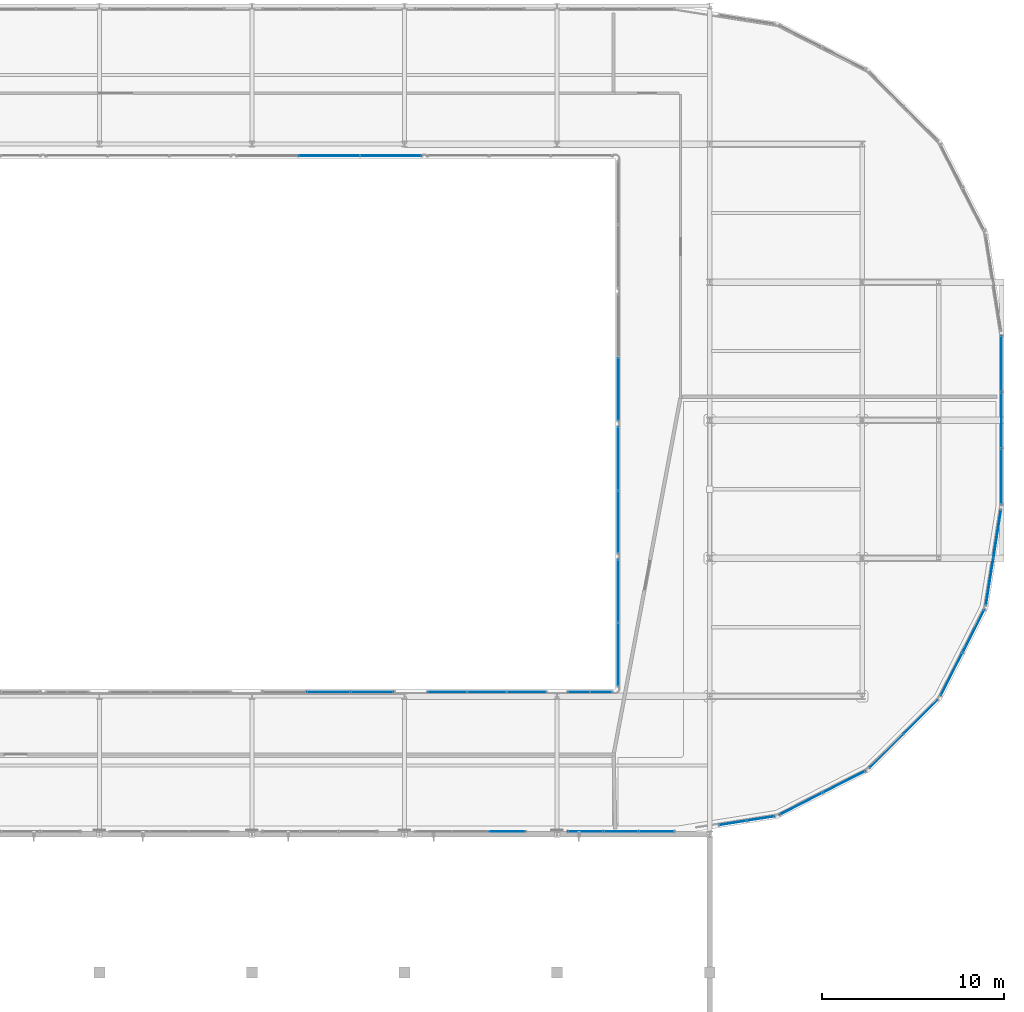
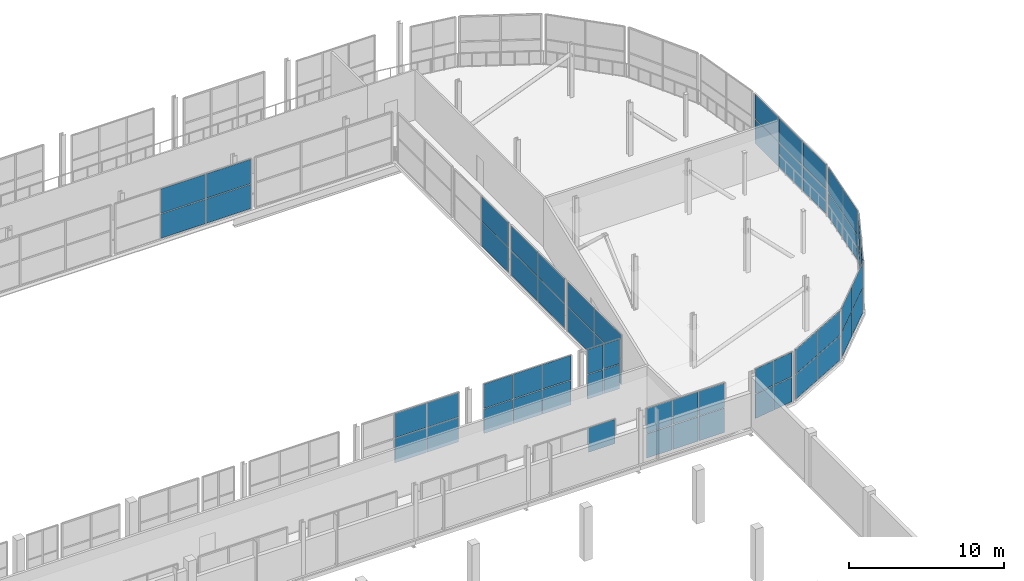
# One storey, part 120 of 151: 61 plates, 15 elements without a shape of their own.
"""IFC4 building model written with IfcOpenShell, lengths in metres."""

from ifc_helpers import new_model, si_unit, direction, frame, origin, origin_2d, place, context, subcontext, project, spatial, rectangle, extrude, material, layer, layer_set, type_object, element, aggregate, save


model = new_model("IFC4")

# Units and contexts
model_context = context("Model", 3, precision=1e-05, world=origin(), true_north=direction((0.0, 1.0)))
body_context = subcontext(model_context, "Body", "Model", "MODEL_VIEW")
ifc_project = project(units=[si_unit("LENGTHUNIT", "METRE"), si_unit("AREAUNIT", "SQUARE_METRE"), si_unit("VOLUMEUNIT", "CUBIC_METRE"), si_unit("PLANEANGLEUNIT", "RADIAN"), si_unit("MASSUNIT", "GRAM", prefix="KILO")], contexts=[model_context])

# Site, building, storey
site_placement = place(None, origin())
site = spatial("IfcSite", under=ifc_project, at=site_placement, CompositionType="ELEMENT")
building_placement = place(site_placement, origin())
building = spatial("IfcBuilding", under=site, at=building_placement, Name="Zuvorla Pavilion Media Centre", CompositionType="ELEMENT")
storey_placement = place(building_placement, frame((0.0, 0.0, 13.800048828125)))
storey = spatial("IfcBuildingStorey", under=building, at=storey_placement, Name="L03", CompositionType="ELEMENT", Elevation=13.800048828125)

# Curtain wall, plates
ifc_material_1 = material(Name="Unitised anodised aluminium and solar glass curtain wall", Category="aluminium")
curtain_wall_type_1 = type_object("IfcCurtainWallType", Name="CW-SYS-04", PredefinedType="USERDEFINED", material=ifc_material_1)
curtain_wall_1_placement = place(storey_placement, origin())
curtain_wall_1 = element("IfcCurtainWall", 1, at=curtain_wall_1_placement, inside=storey, type_object=curtain_wall_type_1, Name="L03 curtain wall CW04 97", ObjectType="CURTAIN WALL", PredefinedType="USERDEFINED")
ifc_material_2 = material(Name="Solar control double glazing", Category="glass")
ifc_layer_1 = layer(ifc_material_2, 0.028076171875)
ifc_layer_set_1 = layer_set([ifc_layer_1], Name="Solar control double glazing")
plate_type_1 = type_object("IfcPlateType", Name="CW-PNL-28", PredefinedType="CURTAIN_PANEL", material=ifc_layer_set_1)
plate_1_placement = place(storey_placement, frame((168.93310546875, 48.5888671875, 0.030029296875), z_axis=(0.0, 0.0, 1.0), x_axis=(0.707106781187, 0.707106781187, 0.0)))
plate_1 = element("IfcPlate", 2, at=plate_1_placement, type_object=plate_type_1, Name="CW04 panel 1.1", PredefinedType="CURTAIN_PANEL", context=body_context, shape_type="SweptSolid", body=[
    extrude(rectangle(XDim=2.595947265625, YDim=0.028076171875, at=origin_2d()), origin(), (0.0, 0.0, 1.0), 1.919921875),
])
plate_2_placement = place(storey_placement, frame((168.93310546875, 48.5888671875, 2.010009765625), z_axis=(0.0, 0.0, 1.0), x_axis=(0.707106781187, 0.707106781187, 0.0)))
plate_2 = element("IfcPlate", 3, at=plate_2_placement, type_object=plate_type_1, Name="CW04 panel 1.2", PredefinedType="CURTAIN_PANEL", context=body_context, shape_type="SweptSolid", body=[
    extrude(rectangle(XDim=2.595947265625, YDim=0.028076171875, at=origin_2d()), origin(), (0.0, 0.0, 1.0), 1.919921875),
])
plate_3_placement = place(storey_placement, frame((170.811279296875, 50.466796875, 0.030029296875), z_axis=(0.0, 0.0, 1.0), x_axis=(0.707106781187, 0.707106781187, 0.0)))
plate_3 = element("IfcPlate", 4, at=plate_3_placement, type_object=plate_type_1, Name="CW04 panel 2.1", PredefinedType="CURTAIN_PANEL", context=body_context, shape_type="SweptSolid", body=[
    extrude(rectangle(XDim=2.595947265625, YDim=0.028076171875, at=origin_2d()), origin(), (0.0, 0.0, 1.0), 1.919921875),
])
plate_4_placement = place(storey_placement, frame((170.811279296875, 50.466796875, 2.010009765625), z_axis=(0.0, 0.0, 1.0), x_axis=(0.707106781187, 0.707106781187, 0.0)))
plate_4 = element("IfcPlate", 5, at=plate_4_placement, type_object=plate_type_1, Name="CW04 panel 2.2", PredefinedType="CURTAIN_PANEL", context=body_context, shape_type="SweptSolid", body=[
    extrude(rectangle(XDim=2.595947265625, YDim=0.028076171875, at=origin_2d()), origin(), (0.0, 0.0, 1.0), 1.919921875),
])
aggregate(curtain_wall_1, [plate_1, plate_2, plate_3, plate_4])

curtain_wall_type_2 = type_object("IfcCurtainWallType", Name="CW-SYS-59", PredefinedType="USERDEFINED", material=ifc_material_1)
curtain_wall_2_placement = place(storey_placement, origin())
curtain_wall_2 = element("IfcCurtainWall", 6, at=curtain_wall_2_placement, inside=storey, type_object=curtain_wall_type_2, Name="L03 curtain wall CW59 100", ObjectType="CURTAIN WALL", PredefinedType="USERDEFINED")
plate_5_placement = place(storey_placement, frame((175.260009765625, 63.706787109375, 0.030029296875), z_axis=(0.0, 0.0, 1.0), x_axis=(0.0, 1.0, 0.0)))
plate_5 = element("IfcPlate", 7, at=plate_5_placement, type_object=plate_type_1, Name="CW59 panel 1.1", PredefinedType="CURTAIN_PANEL", context=body_context, shape_type="SweptSolid", body=[
    extrude(rectangle(XDim=3.033447265625, YDim=0.028076171875, at=origin_2d()), origin(), (0.0, 0.0, 1.0), 1.919921875),
])
plate_6_placement = place(storey_placement, frame((175.260009765625, 63.706787109375, 2.010009765625), z_axis=(0.0, 0.0, 1.0), x_axis=(0.0, 1.0, 0.0)))
plate_6 = element("IfcPlate", 8, at=plate_6_placement, type_object=plate_type_1, Name="CW59 panel 1.2", PredefinedType="CURTAIN_PANEL", context=body_context, shape_type="SweptSolid", body=[
    extrude(rectangle(XDim=3.033447265625, YDim=0.028076171875, at=origin_2d()), origin(), (0.0, 0.0, 1.0), 1.919921875),
])
plate_7_placement = place(storey_placement, frame((175.260009765625, 66.800048828125, 0.030029296875), z_axis=(0.0, 0.0, 1.0), x_axis=(0.0, 1.0, 0.0)))
plate_7 = element("IfcPlate", 9, at=plate_7_placement, type_object=plate_type_1, Name="CW59 panel 2.1", PredefinedType="CURTAIN_PANEL", context=body_context, shape_type="SweptSolid", body=[
    extrude(rectangle(XDim=3.033447265625, YDim=0.028076171875, at=origin_2d()), origin(), (0.0, 0.0, 1.0), 1.919921875),
])
plate_8_placement = place(storey_placement, frame((175.260009765625, 66.800048828125, 2.010009765625), z_axis=(0.0, 0.0, 1.0), x_axis=(0.0, 1.0, 0.0)))
plate_8 = element("IfcPlate", 10, at=plate_8_placement, type_object=plate_type_1, Name="CW59 panel 2.2", PredefinedType="CURTAIN_PANEL", context=body_context, shape_type="SweptSolid", body=[
    extrude(rectangle(XDim=3.033447265625, YDim=0.028076171875, at=origin_2d()), origin(), (0.0, 0.0, 1.0), 1.919921875),
])
plate_9_placement = place(storey_placement, frame((175.260009765625, 69.893310546875, 0.030029296875), z_axis=(0.0, 0.0, 1.0), x_axis=(0.0, 1.0, 0.0)))
plate_9 = element("IfcPlate", 11, at=plate_9_placement, type_object=plate_type_1, Name="CW59 panel 3.1", PredefinedType="CURTAIN_PANEL", context=body_context, shape_type="SweptSolid", body=[
    extrude(rectangle(XDim=3.033447265625, YDim=0.028076171875, at=origin_2d()), origin(), (0.0, 0.0, 1.0), 1.919921875),
])
plate_10_placement = place(storey_placement, frame((175.260009765625, 69.893310546875, 2.010009765625), z_axis=(0.0, 0.0, 1.0), x_axis=(0.0, 1.0, 0.0)))
plate_10 = element("IfcPlate", 12, at=plate_10_placement, type_object=plate_type_1, Name="CW59 panel 3.2", PredefinedType="CURTAIN_PANEL", context=body_context, shape_type="SweptSolid", body=[
    extrude(rectangle(XDim=3.033447265625, YDim=0.028076171875, at=origin_2d()), origin(), (0.0, 0.0, 1.0), 1.919921875),
])
aggregate(curtain_wall_2, [plate_5, plate_6, plate_7, plate_8, plate_9, plate_10])

# Curtain wall, plate
curtain_wall_type_3 = type_object("IfcCurtainWallType", Name="CW-SYS-14", PredefinedType="USERDEFINED", material=ifc_material_1)
curtain_wall_3_placement = place(storey_placement, origin())
curtain_wall_3 = element("IfcCurtainWall", 13, at=curtain_wall_3_placement, inside=storey, type_object=curtain_wall_type_3, Name="L03 curtain wall CW14 146", ObjectType="CURTAIN WALL", PredefinedType="USERDEFINED")
plate_11_placement = place(storey_placement, frame((148.05126953125, 44.159912109375, 2.010009765625), z_axis=(0.0, 0.0, 1.0), x_axis=(1.0, 0.0, 0.0)))
plate_11 = element("IfcPlate", 14, at=plate_11_placement, type_object=plate_type_1, Name="CW14 panel 3.2", PredefinedType="CURTAIN_PANEL", context=body_context, shape_type="SweptSolid", body=[
    extrude(rectangle(XDim=1.9677734375, YDim=0.028076171875, at=origin_2d()), origin(), (0.0, 0.0, 1.0), 1.919921875),
])
aggregate(curtain_wall_3, [plate_11])

# Curtain wall, plates
curtain_wall_type_4 = type_object("IfcCurtainWallType", Name="CW-SYS-24", PredefinedType="USERDEFINED", material=ifc_material_1)
curtain_wall_4_placement = place(storey_placement, origin())
curtain_wall_4 = element("IfcCurtainWall", 15, at=curtain_wall_4_placement, inside=storey, type_object=curtain_wall_type_4, Name="L03 curtain wall CW24 187", ObjectType="CURTAIN WALL", PredefinedType="USERDEFINED")
plate_12_placement = place(storey_placement, frame((154.159912109375, 53.905029296875, 0.030029296875), z_axis=(0.0, 0.0, 1.0), x_axis=(0.0, 1.0, 0.0)))
plate_12 = element("IfcPlate", 16, at=plate_12_placement, type_object=plate_type_1, Name="CW24 panel 1.1", PredefinedType="CURTAIN_PANEL", context=body_context, shape_type="SweptSolid", body=[
    extrude(rectangle(XDim=3.429931640625, YDim=0.028076171875, at=origin_2d()), origin(), (0.0, 0.0, 1.0), 1.919921875),
])
plate_13_placement = place(storey_placement, frame((154.159912109375, 53.905029296875, 2.010009765625), z_axis=(0.0, 0.0, 1.0), x_axis=(0.0, 1.0, 0.0)))
plate_13 = element("IfcPlate", 17, at=plate_13_placement, type_object=plate_type_1, Name="CW24 panel 1.2", PredefinedType="CURTAIN_PANEL", context=body_context, shape_type="SweptSolid", body=[
    extrude(rectangle(XDim=3.429931640625, YDim=0.028076171875, at=origin_2d()), origin(), (0.0, 0.0, 1.0), 1.919921875),
])
plate_14_placement = place(storey_placement, frame((154.159912109375, 57.39501953125, 0.030029296875), z_axis=(0.0, 0.0, 1.0), x_axis=(0.0, 1.0, 0.0)))
plate_14 = element("IfcPlate", 18, at=plate_14_placement, type_object=plate_type_1, Name="CW24 panel 2.1", PredefinedType="CURTAIN_PANEL", context=body_context, shape_type="SweptSolid", body=[
    extrude(rectangle(XDim=3.429931640625, YDim=0.028076171875, at=origin_2d()), origin(), (0.0, 0.0, 1.0), 1.919921875),
])
plate_15_placement = place(storey_placement, frame((154.159912109375, 57.39501953125, 2.010009765625), z_axis=(0.0, 0.0, 1.0), x_axis=(0.0, 1.0, 0.0)))
plate_15 = element("IfcPlate", 19, at=plate_15_placement, type_object=plate_type_1, Name="CW24 panel 2.2", PredefinedType="CURTAIN_PANEL", context=body_context, shape_type="SweptSolid", body=[
    extrude(rectangle(XDim=3.429931640625, YDim=0.028076171875, at=origin_2d()), origin(), (0.0, 0.0, 1.0), 1.919921875),
])
aggregate(curtain_wall_4, [plate_12, plate_13, plate_14, plate_15])

curtain_wall_type_5 = type_object("IfcCurtainWallType", Name="CW-SYS-06", PredefinedType="USERDEFINED", material=ifc_material_1)
curtain_wall_5_placement = place(storey_placement, origin())
curtain_wall_5 = element("IfcCurtainWall", 20, at=curtain_wall_5_placement, inside=storey, type_object=curtain_wall_type_5, Name="L03 curtain wall CW06 95", ObjectType="CURTAIN WALL", PredefinedType="USERDEFINED")
ifc_material_3 = material(Name="Acoustic laminated solar glazing", Category="glass")
ifc_layer_2 = layer(ifc_material_3, 0.033935546875)
ifc_layer_set_2 = layer_set([ifc_layer_2], Name="Acoustic laminated solar glazing")
plate_type_2 = type_object("IfcPlateType", Name="CW-PNL-34", PredefinedType="CURTAIN_PANEL", material=ifc_layer_set_2)
plate_16_placement = place(storey_placement, frame((160.477294921875, 44.629150390625, 0.030029296875), z_axis=(0.0, 0.0, 1.0), x_axis=(0.987688857741, 0.156431199877, 0.0)))
plate_16 = element("IfcPlate", 21, at=plate_16_placement, type_object=plate_type_2, Name="CW06 panel 1.1", PredefinedType="CURTAIN_PANEL", context=body_context, shape_type="SweptSolid", body=[
    extrude(rectangle(XDim=1.495849609375, YDim=0.033935546875, at=origin_2d()), origin(), (0.0, 0.0, 1.0), 1.919921875),
])
plate_17_placement = place(storey_placement, frame((160.477294921875, 44.629150390625, 2.010009765625), z_axis=(0.0, 0.0, 1.0), x_axis=(0.987688857741, 0.156431199877, 0.0)))
plate_17 = element("IfcPlate", 22, at=plate_17_placement, type_object=plate_type_2, Name="CW06 panel 1.2", PredefinedType="CURTAIN_PANEL", context=body_context, shape_type="SweptSolid", body=[
    extrude(rectangle(XDim=1.495849609375, YDim=0.033935546875, at=origin_2d()), origin(), (0.0, 0.0, 1.0), 1.919921875),
])
plate_18_placement = place(storey_placement, frame((162.013916015625, 44.87255859375, 0.030029296875), z_axis=(0.0, 0.0, 1.0), x_axis=(0.987688857741, 0.156431199877, 0.0)))
plate_18 = element("IfcPlate", 23, at=plate_18_placement, type_object=plate_type_2, Name="CW06 panel 2.1", PredefinedType="CURTAIN_PANEL", context=body_context, shape_type="SweptSolid", body=[
    extrude(rectangle(XDim=1.495849609375, YDim=0.033935546875, at=origin_2d()), origin(), (0.0, 0.0, 1.0), 1.919921875),
])
plate_19_placement = place(storey_placement, frame((162.013916015625, 44.87255859375, 2.010009765625), z_axis=(0.0, 0.0, 1.0), x_axis=(0.987688857741, 0.156431199877, 0.0)))
plate_19 = element("IfcPlate", 24, at=plate_19_placement, type_object=plate_type_2, Name="CW06 panel 2.2", PredefinedType="CURTAIN_PANEL", context=body_context, shape_type="SweptSolid", body=[
    extrude(rectangle(XDim=1.495849609375, YDim=0.033935546875, at=origin_2d()), origin(), (0.0, 0.0, 1.0), 1.919921875),
])
aggregate(curtain_wall_5, [plate_16, plate_17, plate_18, plate_19])

curtain_wall_type_6 = type_object("IfcCurtainWallType", Name="CW-SYS-02", PredefinedType="USERDEFINED", material=ifc_material_1)
curtain_wall_6_placement = place(storey_placement, origin())
curtain_wall_6 = element("IfcCurtainWall", 25, at=curtain_wall_6_placement, inside=storey, type_object=curtain_wall_type_6, Name="L03 curtain wall CW02 98", ObjectType="CURTAIN WALL", PredefinedType="USERDEFINED")
plate_20_placement = place(storey_placement, frame((172.512939453125, 52.80908203125, 0.030029296875), z_axis=(0.0, 0.0, 1.0), x_axis=(0.453985852193, 0.891008892216, 0.0)))
plate_20 = element("IfcPlate", 26, at=plate_20_placement, type_object=plate_type_2, Name="CW02 panel 1.1", PredefinedType="CURTAIN_PANEL", context=body_context, shape_type="SweptSolid", body=[
    extrude(rectangle(XDim=2.595703125, YDim=0.033935546875, at=origin_2d()), origin(), (0.0, 0.0, 1.0), 1.919921875),
])
plate_21_placement = place(storey_placement, frame((172.512939453125, 52.80908203125, 2.010009765625), z_axis=(0.0, 0.0, 1.0), x_axis=(0.453985852193, 0.891008892216, 0.0)))
plate_21 = element("IfcPlate", 27, at=plate_21_placement, type_object=plate_type_2, Name="CW02 panel 1.2", PredefinedType="CURTAIN_PANEL", context=body_context, shape_type="SweptSolid", body=[
    extrude(rectangle(XDim=2.595703125, YDim=0.033935546875, at=origin_2d()), origin(), (0.0, 0.0, 1.0), 1.919921875),
])
plate_22_placement = place(storey_placement, frame((173.71875, 55.175537109375, 0.030029296875), z_axis=(0.0, 0.0, 1.0), x_axis=(0.453985852193, 0.891008892216, 0.0)))
plate_22 = element("IfcPlate", 28, at=plate_22_placement, type_object=plate_type_2, Name="CW02 panel 2.1", PredefinedType="CURTAIN_PANEL", context=body_context, shape_type="SweptSolid", body=[
    extrude(rectangle(XDim=2.595703125, YDim=0.033935546875, at=origin_2d()), origin(), (0.0, 0.0, 1.0), 1.919921875),
])
plate_23_placement = place(storey_placement, frame((173.71875, 55.175537109375, 2.010009765625), z_axis=(0.0, 0.0, 1.0), x_axis=(0.453985852193, 0.891008892216, 0.0)))
plate_23 = element("IfcPlate", 29, at=plate_23_placement, type_object=plate_type_2, Name="CW02 panel 2.2", PredefinedType="CURTAIN_PANEL", context=body_context, shape_type="SweptSolid", body=[
    extrude(rectangle(XDim=2.595703125, YDim=0.033935546875, at=origin_2d()), origin(), (0.0, 0.0, 1.0), 1.919921875),
])
aggregate(curtain_wall_6, [plate_20, plate_21, plate_22, plate_23])

curtain_wall_type_7 = type_object("IfcCurtainWallType", Name="CW-SYS-19", PredefinedType="USERDEFINED", material=ifc_material_1)
curtain_wall_7_placement = place(storey_placement, origin())
curtain_wall_7 = element("IfcCurtainWall", 30, at=curtain_wall_7_placement, inside=storey, type_object=curtain_wall_type_7, Name="L03 curtain wall CW19 147", ObjectType="CURTAIN WALL", PredefinedType="USERDEFINED")
plate_24_placement = place(storey_placement, frame((152.358154296875, 44.159912109375, 0.030029296875), z_axis=(0.0, 0.0, 1.0), x_axis=(1.0, 0.0, 0.0)))
plate_24 = element("IfcPlate", 31, at=plate_24_placement, type_object=plate_type_2, Name="CW19 panel 1.1", PredefinedType="CURTAIN_PANEL", context=body_context, shape_type="SweptSolid", body=[
    extrude(rectangle(XDim=1.892578125, YDim=0.033935546875, at=origin_2d()), origin(), (0.0, 0.0, 1.0), 1.919921875),
])
plate_25_placement = place(storey_placement, frame((152.358154296875, 44.159912109375, 2.010009765625), z_axis=(0.0, 0.0, 1.0), x_axis=(1.0, 0.0, 0.0)))
plate_25 = element("IfcPlate", 32, at=plate_25_placement, type_object=plate_type_2, Name="CW19 panel 1.2", PredefinedType="CURTAIN_PANEL", context=body_context, shape_type="SweptSolid", body=[
    extrude(rectangle(XDim=1.892578125, YDim=0.033935546875, at=origin_2d()), origin(), (0.0, 0.0, 1.0), 1.919921875),
])
plate_26_placement = place(storey_placement, frame((154.31103515625, 44.159912109375, 0.030029296875), z_axis=(0.0, 0.0, 1.0), x_axis=(1.0, 0.0, 0.0)))
plate_26 = element("IfcPlate", 33, at=plate_26_placement, type_object=plate_type_2, Name="CW19 panel 2.1", PredefinedType="CURTAIN_PANEL", context=body_context, shape_type="SweptSolid", body=[
    extrude(rectangle(XDim=1.892578125, YDim=0.033935546875, at=origin_2d()), origin(), (0.0, 0.0, 1.0), 1.919921875),
])
plate_27_placement = place(storey_placement, frame((154.31103515625, 44.159912109375, 2.010009765625), z_axis=(0.0, 0.0, 1.0), x_axis=(1.0, 0.0, 0.0)))
plate_27 = element("IfcPlate", 34, at=plate_27_placement, type_object=plate_type_2, Name="CW19 panel 2.2", PredefinedType="CURTAIN_PANEL", context=body_context, shape_type="SweptSolid", body=[
    extrude(rectangle(XDim=1.892578125, YDim=0.033935546875, at=origin_2d()), origin(), (0.0, 0.0, 1.0), 1.919921875),
])
plate_28_placement = place(storey_placement, frame((156.263671875, 44.159912109375, 0.030029296875), z_axis=(0.0, 0.0, 1.0), x_axis=(1.0, 0.0, 0.0)))
plate_28 = element("IfcPlate", 35, at=plate_28_placement, type_object=plate_type_2, Name="CW19 panel 3.1", PredefinedType="CURTAIN_PANEL", context=body_context, shape_type="SweptSolid", body=[
    extrude(rectangle(XDim=1.892578125, YDim=0.033935546875, at=origin_2d()), origin(), (0.0, 0.0, 1.0), 1.919921875),
])
plate_29_placement = place(storey_placement, frame((156.263671875, 44.159912109375, 2.010009765625), z_axis=(0.0, 0.0, 1.0), x_axis=(1.0, 0.0, 0.0)))
plate_29 = element("IfcPlate", 36, at=plate_29_placement, type_object=plate_type_2, Name="CW19 panel 3.2", PredefinedType="CURTAIN_PANEL", context=body_context, shape_type="SweptSolid", body=[
    extrude(rectangle(XDim=1.892578125, YDim=0.033935546875, at=origin_2d()), origin(), (0.0, 0.0, 1.0), 1.919921875),
])
aggregate(curtain_wall_7, [plate_24, plate_25, plate_26, plate_27, plate_28, plate_29])

curtain_wall_type_8 = type_object("IfcCurtainWallType", Name="CW-SYS-84", PredefinedType="USERDEFINED", material=ifc_material_1)
curtain_wall_8_placement = place(storey_placement, origin())
curtain_wall_8 = element("IfcCurtainWall", 37, at=curtain_wall_8_placement, inside=storey, type_object=curtain_wall_type_8, Name="L03 curtain wall CW84 181", ObjectType="CURTAIN WALL", PredefinedType="USERDEFINED")
plate_30_placement = place(storey_placement, frame((138.199951171875, 51.840087890625, 0.030029296875), z_axis=(0.0, 0.0, 1.0), x_axis=(1.0, 0.0, 0.0)))
plate_30 = element("IfcPlate", 38, at=plate_30_placement, type_object=plate_type_2, Name="CW84 panel 2.1", PredefinedType="CURTAIN_PANEL", context=body_context, shape_type="SweptSolid", body=[
    extrude(rectangle(XDim=2.35205078125, YDim=0.033935546875, at=origin_2d()), origin(), (0.0, 0.0, 1.0), 1.919921875),
])
plate_31_placement = place(storey_placement, frame((138.199951171875, 51.840087890625, 2.010009765625), z_axis=(0.0, 0.0, 1.0), x_axis=(1.0, 0.0, 0.0)))
plate_31 = element("IfcPlate", 39, at=plate_31_placement, type_object=plate_type_2, Name="CW84 panel 2.2", PredefinedType="CURTAIN_PANEL", context=body_context, shape_type="SweptSolid", body=[
    extrude(rectangle(XDim=2.35205078125, YDim=0.033935546875, at=origin_2d()), origin(), (0.0, 0.0, 1.0), 1.919921875),
])
plate_32_placement = place(storey_placement, frame((140.612060546875, 51.840087890625, 0.030029296875), z_axis=(0.0, 0.0, 1.0), x_axis=(1.0, 0.0, 0.0)))
plate_32 = element("IfcPlate", 40, at=plate_32_placement, type_object=plate_type_2, Name="CW84 panel 3.1", PredefinedType="CURTAIN_PANEL", context=body_context, shape_type="SweptSolid", body=[
    extrude(rectangle(XDim=2.35205078125, YDim=0.033935546875, at=origin_2d()), origin(), (0.0, 0.0, 1.0), 1.919921875),
])
plate_33_placement = place(storey_placement, frame((140.612060546875, 51.840087890625, 2.010009765625), z_axis=(0.0, 0.0, 1.0), x_axis=(1.0, 0.0, 0.0)))
plate_33 = element("IfcPlate", 41, at=plate_33_placement, type_object=plate_type_2, Name="CW84 panel 3.2", PredefinedType="CURTAIN_PANEL", context=body_context, shape_type="SweptSolid", body=[
    extrude(rectangle(XDim=2.35205078125, YDim=0.033935546875, at=origin_2d()), origin(), (0.0, 0.0, 1.0), 1.919921875),
])
aggregate(curtain_wall_8, [plate_30, plate_31, plate_32, plate_33])

curtain_wall_type_9 = type_object("IfcCurtainWallType", Name="CW-SYS-58", PredefinedType="USERDEFINED", material=ifc_material_1)
curtain_wall_9_placement = place(storey_placement, origin())
curtain_wall_9 = element("IfcCurtainWall", 42, at=curtain_wall_9_placement, inside=storey, type_object=curtain_wall_type_9, Name="L03 curtain wall CW58 189", ObjectType="CURTAIN WALL", PredefinedType="USERDEFINED")
plate_34_placement = place(storey_placement, frame((154.159912109375, 61.205078125, 0.030029296875), z_axis=(0.0, 0.0, 1.0), x_axis=(0.0, 1.0, 0.0)))
plate_34 = element("IfcPlate", 43, at=plate_34_placement, type_object=plate_type_2, Name="CW58 panel 1.1", PredefinedType="CURTAIN_PANEL", context=body_context, shape_type="SweptSolid", body=[
    extrude(rectangle(XDim=3.429931640625, YDim=0.033935546875, at=origin_2d()), origin(), (0.0, 0.0, 1.0), 1.919921875),
])
plate_35_placement = place(storey_placement, frame((154.159912109375, 61.205078125, 2.010009765625), z_axis=(0.0, 0.0, 1.0), x_axis=(0.0, 1.0, 0.0)))
plate_35 = element("IfcPlate", 44, at=plate_35_placement, type_object=plate_type_2, Name="CW58 panel 1.2", PredefinedType="CURTAIN_PANEL", context=body_context, shape_type="SweptSolid", body=[
    extrude(rectangle(XDim=3.429931640625, YDim=0.033935546875, at=origin_2d()), origin(), (0.0, 0.0, 1.0), 1.919921875),
])
plate_36_placement = place(storey_placement, frame((154.159912109375, 64.695068359375, 0.030029296875), z_axis=(0.0, 0.0, 1.0), x_axis=(0.0, 1.0, 0.0)))
plate_36 = element("IfcPlate", 45, at=plate_36_placement, type_object=plate_type_2, Name="CW58 panel 2.1", PredefinedType="CURTAIN_PANEL", context=body_context, shape_type="SweptSolid", body=[
    extrude(rectangle(XDim=3.429931640625, YDim=0.033935546875, at=origin_2d()), origin(), (0.0, 0.0, 1.0), 1.919921875),
])
plate_37_placement = place(storey_placement, frame((154.159912109375, 64.695068359375, 2.010009765625), z_axis=(0.0, 0.0, 1.0), x_axis=(0.0, 1.0, 0.0)))
plate_37 = element("IfcPlate", 46, at=plate_37_placement, type_object=plate_type_2, Name="CW58 panel 2.2", PredefinedType="CURTAIN_PANEL", context=body_context, shape_type="SweptSolid", body=[
    extrude(rectangle(XDim=3.429931640625, YDim=0.033935546875, at=origin_2d()), origin(), (0.0, 0.0, 1.0), 1.919921875),
])
aggregate(curtain_wall_9, [plate_34, plate_35, plate_36, plate_37])

curtain_wall_type_10 = type_object("IfcCurtainWallType", Name="CW-SYS-03", PredefinedType="USERDEFINED", material=ifc_material_1)
curtain_wall_10_placement = place(storey_placement, origin())
curtain_wall_10 = element("IfcCurtainWall", 47, at=curtain_wall_10_placement, inside=storey, type_object=curtain_wall_type_10, Name="L03 curtain wall CW03 96", ObjectType="CURTAIN WALL", PredefinedType="USERDEFINED")
ifc_material_4 = material(Name="Triple acoustic broadcast glazing", Category="glass")
ifc_layer_3 = layer(ifc_material_4, 0.0419921875)
ifc_layer_set_3 = layer_set([ifc_layer_3], Name="Triple acoustic broadcast glazing")
plate_type_3 = type_object("IfcPlateType", Name="CW-PNL-42", PredefinedType="CURTAIN_PANEL", material=ifc_layer_set_3)
plate_38_placement = place(storey_placement, frame((164.224365234375, 45.68115234375, 0.030029296875), z_axis=(0.0, 0.0, 1.0), x_axis=(0.891008892216, 0.453985852193, 0.0)))
plate_38 = element("IfcPlate", 48, at=plate_38_placement, type_object=plate_type_3, Name="CW03 panel 1.1", PredefinedType="CURTAIN_PANEL", context=body_context, shape_type="SweptSolid", body=[
    extrude(rectangle(XDim=2.595703125, YDim=0.0419921875, at=origin_2d()), origin(), (0.0, 0.0, 1.0), 1.919921875),
])
plate_39_placement = place(storey_placement, frame((164.224365234375, 45.68115234375, 2.010009765625), z_axis=(0.0, 0.0, 1.0), x_axis=(0.891008892216, 0.453985852193, 0.0)))
plate_39 = element("IfcPlate", 49, at=plate_39_placement, type_object=plate_type_3, Name="CW03 panel 1.2", PredefinedType="CURTAIN_PANEL", context=body_context, shape_type="SweptSolid", body=[
    extrude(rectangle(XDim=2.595703125, YDim=0.0419921875, at=origin_2d()), origin(), (0.0, 0.0, 1.0), 1.919921875),
])
plate_40_placement = place(storey_placement, frame((166.5908203125, 46.886962890625, 0.030029296875), z_axis=(0.0, 0.0, 1.0), x_axis=(0.891008892216, 0.453985852193, 0.0)))
plate_40 = element("IfcPlate", 50, at=plate_40_placement, type_object=plate_type_3, Name="CW03 panel 2.1", PredefinedType="CURTAIN_PANEL", context=body_context, shape_type="SweptSolid", body=[
    extrude(rectangle(XDim=2.595703125, YDim=0.0419921875, at=origin_2d()), origin(), (0.0, 0.0, 1.0), 1.919921875),
])
plate_41_placement = place(storey_placement, frame((166.5908203125, 46.886962890625, 2.010009765625), z_axis=(0.0, 0.0, 1.0), x_axis=(0.891008892216, 0.453985852193, 0.0)))
plate_41 = element("IfcPlate", 51, at=plate_41_placement, type_object=plate_type_3, Name="CW03 panel 2.2", PredefinedType="CURTAIN_PANEL", context=body_context, shape_type="SweptSolid", body=[
    extrude(rectangle(XDim=2.595703125, YDim=0.0419921875, at=origin_2d()), origin(), (0.0, 0.0, 1.0), 1.919921875),
])
aggregate(curtain_wall_10, [plate_38, plate_39, plate_40, plate_41])

curtain_wall_11_placement = place(storey_placement, origin())
curtain_wall_11 = element("IfcCurtainWall", 52, at=curtain_wall_11_placement, inside=storey, type_object=curtain_wall_type_10, Name="L03 curtain wall CW03 99", ObjectType="CURTAIN WALL", PredefinedType="USERDEFINED")
plate_42_placement = place(storey_placement, frame((174.613525390625, 57.92919921875, 0.030029296875), z_axis=(0.0, 0.0, 1.0), x_axis=(0.156428534885, 0.987689279821, 0.0)))
plate_42 = element("IfcPlate", 53, at=plate_42_placement, type_object=plate_type_3, Name="CW03 panel 1.1", PredefinedType="CURTAIN_PANEL", context=body_context, shape_type="SweptSolid", body=[
    extrude(rectangle(XDim=2.595947265625, YDim=0.0419921875, at=origin_2d()), origin(), (0.0, 0.0, 1.0), 1.919921875),
])
plate_43_placement = place(storey_placement, frame((174.613525390625, 57.92919921875, 2.010009765625), z_axis=(0.0, 0.0, 1.0), x_axis=(0.156428534885, 0.987689279821, 0.0)))
plate_43 = element("IfcPlate", 54, at=plate_43_placement, type_object=plate_type_3, Name="CW03 panel 1.2", PredefinedType="CURTAIN_PANEL", context=body_context, shape_type="SweptSolid", body=[
    extrude(rectangle(XDim=2.595947265625, YDim=0.0419921875, at=origin_2d()), origin(), (0.0, 0.0, 1.0), 1.919921875),
])
plate_44_placement = place(storey_placement, frame((175.029052734375, 60.55224609375, 0.030029296875), z_axis=(0.0, 0.0, 1.0), x_axis=(0.156428534885, 0.987689279821, 0.0)))
plate_44 = element("IfcPlate", 55, at=plate_44_placement, type_object=plate_type_3, Name="CW03 panel 2.1", PredefinedType="CURTAIN_PANEL", context=body_context, shape_type="SweptSolid", body=[
    extrude(rectangle(XDim=2.595947265625, YDim=0.0419921875, at=origin_2d()), origin(), (0.0, 0.0, 1.0), 1.919921875),
])
plate_45_placement = place(storey_placement, frame((175.029052734375, 60.55224609375, 2.010009765625), z_axis=(0.0, 0.0, 1.0), x_axis=(0.156428534885, 0.987689279821, 0.0)))
plate_45 = element("IfcPlate", 56, at=plate_45_placement, type_object=plate_type_3, Name="CW03 panel 2.2", PredefinedType="CURTAIN_PANEL", context=body_context, shape_type="SweptSolid", body=[
    extrude(rectangle(XDim=2.595947265625, YDim=0.0419921875, at=origin_2d()), origin(), (0.0, 0.0, 1.0), 1.919921875),
])
aggregate(curtain_wall_11, [plate_42, plate_43, plate_44, plate_45])

curtain_wall_type_11 = type_object("IfcCurtainWallType", Name="CW-SYS-33", PredefinedType="USERDEFINED", material=ifc_material_1)
curtain_wall_12_placement = place(storey_placement, origin())
curtain_wall_12 = element("IfcCurtainWall", 57, at=curtain_wall_12_placement, inside=storey, type_object=curtain_wall_type_11, Name="L03 curtain wall CW33 182", ObjectType="CURTAIN WALL", PredefinedType="USERDEFINED")
plate_46_placement = place(storey_placement, frame((141.643310546875, 81.360107421875, 0.030029296875), z_axis=(0.0, 0.0, 1.0), x_axis=(-1.0, 0.0, 0.0)))
plate_46 = element("IfcPlate", 58, at=plate_46_placement, type_object=plate_type_3, Name="CW33 panel 1.1", PredefinedType="CURTAIN_PANEL", context=body_context, shape_type="SweptSolid", body=[
    extrude(rectangle(XDim=3.333251953125, YDim=0.0419921875, at=origin_2d()), origin(), (0.0, 0.0, 1.0), 1.919921875),
])
plate_47_placement = place(storey_placement, frame((141.643310546875, 81.360107421875, 2.010009765625), z_axis=(0.0, 0.0, 1.0), x_axis=(-1.0, 0.0, 0.0)))
plate_47 = element("IfcPlate", 59, at=plate_47_placement, type_object=plate_type_3, Name="CW33 panel 1.2", PredefinedType="CURTAIN_PANEL", context=body_context, shape_type="SweptSolid", body=[
    extrude(rectangle(XDim=3.333251953125, YDim=0.0419921875, at=origin_2d()), origin(), (0.0, 0.0, 1.0), 1.919921875),
])
plate_48_placement = place(storey_placement, frame((138.25, 81.360107421875, 0.030029296875), z_axis=(0.0, 0.0, 1.0), x_axis=(-1.0, 0.0, 0.0)))
plate_48 = element("IfcPlate", 60, at=plate_48_placement, type_object=plate_type_3, Name="CW33 panel 2.1", PredefinedType="CURTAIN_PANEL", context=body_context, shape_type="SweptSolid", body=[
    extrude(rectangle(XDim=3.333251953125, YDim=0.0419921875, at=origin_2d()), origin(), (0.0, 0.0, 1.0), 1.919921875),
])
plate_49_placement = place(storey_placement, frame((138.25, 81.360107421875, 2.010009765625), z_axis=(0.0, 0.0, 1.0), x_axis=(-1.0, 0.0, 0.0)))
plate_49 = element("IfcPlate", 61, at=plate_49_placement, type_object=plate_type_3, Name="CW33 panel 2.2", PredefinedType="CURTAIN_PANEL", context=body_context, shape_type="SweptSolid", body=[
    extrude(rectangle(XDim=3.333251953125, YDim=0.0419921875, at=origin_2d()), origin(), (0.0, 0.0, 1.0), 1.919921875),
])
aggregate(curtain_wall_12, [plate_46, plate_47, plate_48, plate_49])

curtain_wall_type_12 = type_object("IfcCurtainWallType", Name="CW-SYS-21", PredefinedType="USERDEFINED", material=ifc_material_1)
curtain_wall_13_placement = place(storey_placement, origin())
curtain_wall_13 = element("IfcCurtainWall", 62, at=curtain_wall_13_placement, inside=storey, type_object=curtain_wall_type_12, Name="L03 curtain wall CW21 183", ObjectType="CURTAIN WALL", PredefinedType="USERDEFINED")
plate_50_placement = place(storey_placement, frame((144.7529296875, 51.840087890625, 0.030029296875), z_axis=(0.0, 0.0, 1.0), x_axis=(1.0, 0.0, 0.0)))
plate_50 = element("IfcPlate", 63, at=plate_50_placement, type_object=plate_type_3, Name="CW21 panel 1.1", PredefinedType="CURTAIN_PANEL", context=body_context, shape_type="SweptSolid", body=[
    extrude(rectangle(XDim=2.1259765625, YDim=0.0419921875, at=origin_2d()), origin(), (0.0, 0.0, 1.0), 1.919921875),
])
plate_51_placement = place(storey_placement, frame((144.7529296875, 51.840087890625, 2.010009765625), z_axis=(0.0, 0.0, 1.0), x_axis=(1.0, 0.0, 0.0)))
plate_51 = element("IfcPlate", 64, at=plate_51_placement, type_object=plate_type_3, Name="CW21 panel 1.2", PredefinedType="CURTAIN_PANEL", context=body_context, shape_type="SweptSolid", body=[
    extrude(rectangle(XDim=2.1259765625, YDim=0.0419921875, at=origin_2d()), origin(), (0.0, 0.0, 1.0), 1.919921875),
])
plate_52_placement = place(storey_placement, frame((146.93896484375, 51.840087890625, 0.030029296875), z_axis=(0.0, 0.0, 1.0), x_axis=(1.0, 0.0, 0.0)))
plate_52 = element("IfcPlate", 65, at=plate_52_placement, type_object=plate_type_3, Name="CW21 panel 2.1", PredefinedType="CURTAIN_PANEL", context=body_context, shape_type="SweptSolid", body=[
    extrude(rectangle(XDim=2.1259765625, YDim=0.0419921875, at=origin_2d()), origin(), (0.0, 0.0, 1.0), 1.919921875),
])
plate_53_placement = place(storey_placement, frame((146.93896484375, 51.840087890625, 2.010009765625), z_axis=(0.0, 0.0, 1.0), x_axis=(1.0, 0.0, 0.0)))
plate_53 = element("IfcPlate", 66, at=plate_53_placement, type_object=plate_type_3, Name="CW21 panel 2.2", PredefinedType="CURTAIN_PANEL", context=body_context, shape_type="SweptSolid", body=[
    extrude(rectangle(XDim=2.1259765625, YDim=0.0419921875, at=origin_2d()), origin(), (0.0, 0.0, 1.0), 1.919921875),
])
plate_54_placement = place(storey_placement, frame((149.125, 51.840087890625, 0.030029296875), z_axis=(0.0, 0.0, 1.0), x_axis=(1.0, 0.0, 0.0)))
plate_54 = element("IfcPlate", 67, at=plate_54_placement, type_object=plate_type_3, Name="CW21 panel 3.1", PredefinedType="CURTAIN_PANEL", context=body_context, shape_type="SweptSolid", body=[
    extrude(rectangle(XDim=2.1259765625, YDim=0.0419921875, at=origin_2d()), origin(), (0.0, 0.0, 1.0), 1.919921875),
])
plate_55_placement = place(storey_placement, frame((149.125, 51.840087890625, 2.010009765625), z_axis=(0.0, 0.0, 1.0), x_axis=(1.0, 0.0, 0.0)))
plate_55 = element("IfcPlate", 68, at=plate_55_placement, type_object=plate_type_3, Name="CW21 panel 3.2", PredefinedType="CURTAIN_PANEL", context=body_context, shape_type="SweptSolid", body=[
    extrude(rectangle(XDim=2.1259765625, YDim=0.0419921875, at=origin_2d()), origin(), (0.0, 0.0, 1.0), 1.919921875),
])
aggregate(curtain_wall_13, [plate_50, plate_51, plate_52, plate_53, plate_54, plate_55])

curtain_wall_type_13 = type_object("IfcCurtainWallType", Name="CW-SYS-56", PredefinedType="USERDEFINED", material=ifc_material_1)
curtain_wall_14_placement = place(storey_placement, origin())
curtain_wall_14 = element("IfcCurtainWall", 69, at=curtain_wall_14_placement, inside=storey, type_object=curtain_wall_type_13, Name="L03 curtain wall CW56 184", ObjectType="CURTAIN WALL", PredefinedType="USERDEFINED")
plate_56_placement = place(storey_placement, frame((151.996337890625, 51.840087890625, 0.030029296875), z_axis=(0.0, 0.0, 1.0), x_axis=(1.0, 0.0, 0.0)))
plate_56 = element("IfcPlate", 70, at=plate_56_placement, type_object=plate_type_3, Name="CW56 panel 1.1", PredefinedType="CURTAIN_PANEL", context=body_context, shape_type="SweptSolid", body=[
    extrude(rectangle(XDim=1.1689453125, YDim=0.0419921875, at=origin_2d()), origin(), (0.0, 0.0, 1.0), 1.919921875),
])
plate_57_placement = place(storey_placement, frame((151.996337890625, 51.840087890625, 2.010009765625), z_axis=(0.0, 0.0, 1.0), x_axis=(1.0, 0.0, 0.0)))
plate_57 = element("IfcPlate", 71, at=plate_57_placement, type_object=plate_type_3, Name="CW56 panel 1.2", PredefinedType="CURTAIN_PANEL", context=body_context, shape_type="SweptSolid", body=[
    extrude(rectangle(XDim=1.1689453125, YDim=0.0419921875, at=origin_2d()), origin(), (0.0, 0.0, 1.0), 1.919921875),
])
plate_58_placement = place(storey_placement, frame((153.2255859375, 51.840087890625, 0.030029296875), z_axis=(0.0, 0.0, 1.0), x_axis=(1.0, 0.0, 0.0)))
plate_58 = element("IfcPlate", 72, at=plate_58_placement, type_object=plate_type_3, Name="CW56 panel 2.1", PredefinedType="CURTAIN_PANEL", context=body_context, shape_type="SweptSolid", body=[
    extrude(rectangle(XDim=1.1689453125, YDim=0.0419921875, at=origin_2d()), origin(), (0.0, 0.0, 1.0), 1.919921875),
])
plate_59_placement = place(storey_placement, frame((153.2255859375, 51.840087890625, 2.010009765625), z_axis=(0.0, 0.0, 1.0), x_axis=(1.0, 0.0, 0.0)))
plate_59 = element("IfcPlate", 73, at=plate_59_placement, type_object=plate_type_3, Name="CW56 panel 2.2", PredefinedType="CURTAIN_PANEL", context=body_context, shape_type="SweptSolid", body=[
    extrude(rectangle(XDim=1.1689453125, YDim=0.0419921875, at=origin_2d()), origin(), (0.0, 0.0, 1.0), 1.919921875),
])
aggregate(curtain_wall_14, [plate_56, plate_57, plate_58, plate_59])

curtain_wall_type_14 = type_object("IfcCurtainWallType", Name="CW-SYS-57", PredefinedType="USERDEFINED", material=ifc_material_1)
curtain_wall_15_placement = place(storey_placement, origin())
curtain_wall_15 = element("IfcCurtainWall", 74, at=curtain_wall_15_placement, inside=storey, type_object=curtain_wall_type_14, Name="L03 curtain wall CW57 191", ObjectType="CURTAIN WALL", PredefinedType="USERDEFINED")
plate_60_placement = place(storey_placement, frame((154.159912109375, 68.5048828125, 0.030029296875), z_axis=(0.0, 0.0, 1.0), x_axis=(0.0, 1.0, 0.0)))
plate_60 = element("IfcPlate", 75, at=plate_60_placement, type_object=plate_type_3, Name="CW57 panel 1.1", PredefinedType="CURTAIN_PANEL", context=body_context, shape_type="SweptSolid", body=[
    extrude(rectangle(XDim=3.429931640625, YDim=0.0419921875, at=origin_2d()), origin(), (0.0, 0.0, 1.0), 1.919921875),
])
plate_61_placement = place(storey_placement, frame((154.159912109375, 68.5048828125, 2.010009765625), z_axis=(0.0, 0.0, 1.0), x_axis=(0.0, 1.0, 0.0)))
plate_61 = element("IfcPlate", 76, at=plate_61_placement, type_object=plate_type_3, Name="CW57 panel 1.2", PredefinedType="CURTAIN_PANEL", context=body_context, shape_type="SweptSolid", body=[
    extrude(rectangle(XDim=3.429931640625, YDim=0.0419921875, at=origin_2d()), origin(), (0.0, 0.0, 1.0), 1.919921875),
])
aggregate(curtain_wall_15, [plate_60, plate_61])

save(model, "model.ifc")
